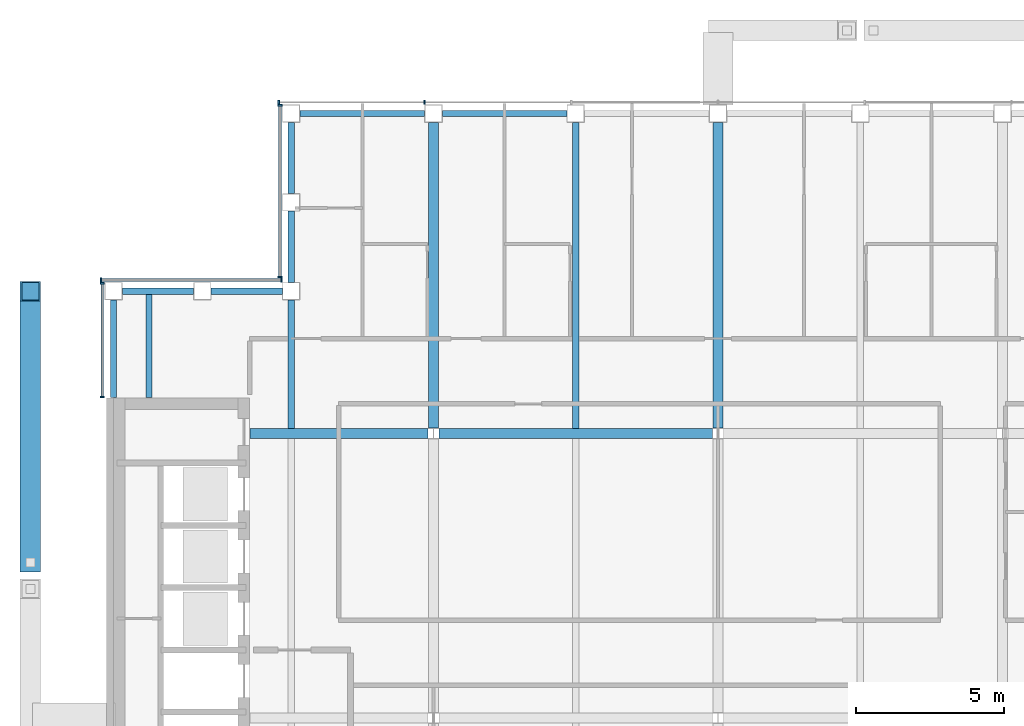
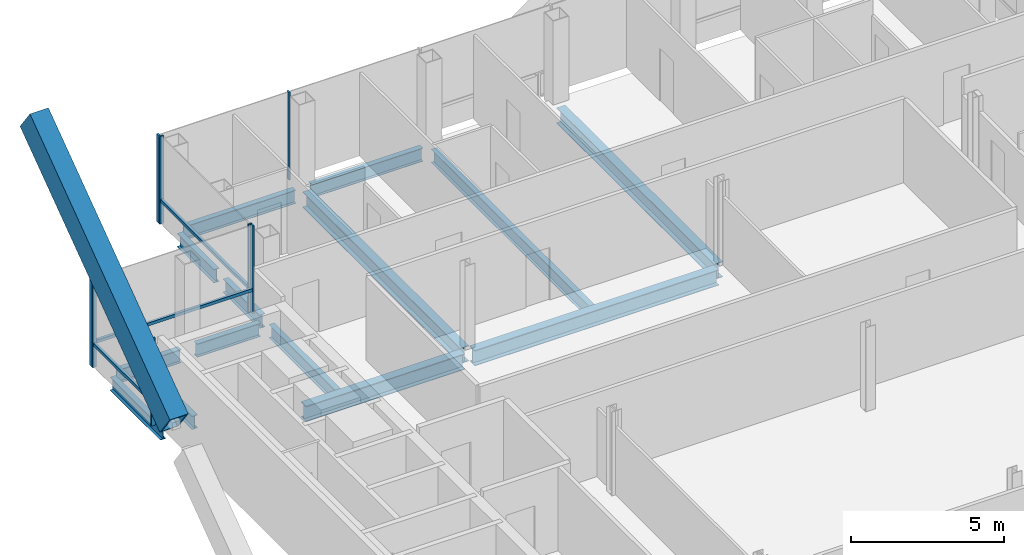
# One storey, part 7 of 15: 14 beams, 12 members, 4 elements without a shape of their own.
"""IFC4 building model written with IfcOpenShell, lengths in metres."""

from ifc_helpers import new_model, si_unit, direction, frame, origin, origin_2d, place, context, subcontext, project, spatial, rectangle, hollow_rectangle, i_section, extrude, material, material_profile, profile_set, type_object, element, aggregate, save


model = new_model("IFC4")

# Units and contexts
model_context = context("Model", 3, precision=1e-05, world=origin(), true_north=direction((0.0, 1.0)))
body_context = subcontext(model_context, "Body", "Model", "MODEL_VIEW")
ifc_project = project(units=[si_unit("LENGTHUNIT", "METRE"), si_unit("AREAUNIT", "SQUARE_METRE"), si_unit("VOLUMEUNIT", "CUBIC_METRE"), si_unit("PLANEANGLEUNIT", "RADIAN"), si_unit("MASSUNIT", "GRAM", prefix="KILO")], contexts=[model_context])

# Site, building, storey
site_placement = place(None, origin())
site = spatial("IfcSite", under=ifc_project, at=site_placement, CompositionType="ELEMENT")
building_placement = place(site_placement, origin())
building = spatial("IfcBuilding", under=site, at=building_placement, Name="Cobrizo Arcos Hotel Tower", CompositionType="ELEMENT")
storey_placement = place(building_placement, frame((0.0, 0.0, 244.5)))
storey = spatial("IfcBuildingStorey", under=building, at=storey_placement, Name="L64", CompositionType="ELEMENT", Elevation=244.5)

# Member
ifc_material_1 = material(Name="Steel ASTM A572 Grade 50", Category="steel")
ifc_material_profile_1 = material_profile(ifc_material_1, hollow_rectangle(XDim=0.699951171875, YDim=1.10009765625, WallThickness=0.06005859375, at=origin_2d()), Name="BOX 700X1100X60")
ifc_profile_set_1 = profile_set([ifc_material_profile_1], Name="Steel ASTM A572 Grade 50")
member_type_1 = type_object("IfcMemberType", Name="BOX 700X1100X60 perimeter brace", PredefinedType="BRACE", material=ifc_profile_set_1)
member_1_placement = place(storey_placement, frame((-23.199951171875, 5.242431640625, 4.32275390625), z_axis=(0.0, 0.808010734919, 0.589167762404), x_axis=(-1.0, 0.0, 0.0)))
element("IfcMember", 1, at=member_1_placement, inside=storey, type_object=member_type_1, Name="Perimeter brace PBR5, zone Z5, west face, no. 01b", PredefinedType="BRACE", context=body_context, shape_type="SweptSolid", body=[
    extrude(hollow_rectangle(XDim=0.699951171875, YDim=1.10009765625, WallThickness=0.06005859375, at=origin_2d()), origin(), (0.0, 0.0, 1.0), 11.333251953125),
])

# Curtain wall, members
ifc_material_2 = material(Name="Aluminium 6063-T6 anodised bronze", Category="aluminium")
curtain_wall_type = type_object("IfcCurtainWallType", Name="CW-A guest facade", PredefinedType="NOTDEFINED", material=ifc_material_2)
curtain_wall_1_placement = place(storey_placement, origin())
curtain_wall_1 = element("IfcCurtainWall", 2, at=curtain_wall_1_placement, inside=storey, type_object=curtain_wall_type, Name="CW-A L64 N face", PredefinedType="NOTDEFINED")
ifc_material_profile_2 = material_profile(ifc_material_2, rectangle(XDim=0.14990234375, YDim=0.06005859375, at=origin_2d()), Name="CW-A mullion 150x60")
ifc_profile_set_2 = profile_set([ifc_material_profile_2], Name="Aluminium 6063-T6 anodised bronze")
member_type_2 = type_object("IfcMemberType", Name="CW-A mullion 150x60", PredefinedType="MULLION", material=ifc_profile_set_2)
member_2_placement = place(storey_placement, frame((-9.89990234375, 20.77490234375, 0.0), z_axis=(0.0, 0.0, 1.0), x_axis=(0.0, 1.0, 0.0)))
member_2 = element("IfcMember", 3, at=member_2_placement, type_object=member_type_2, Name="CW-A mullion 6", PredefinedType="MULLION", context=body_context, shape_type="SweptSolid", body=[
    extrude(rectangle(XDim=0.14990234375, YDim=0.06005859375, at=origin_2d()), origin(), (0.0, 0.0, 1.0), 3.5),
])
member_3_placement = place(storey_placement, frame((-14.820068359375, 20.77490234375, 0.0), z_axis=(0.0, 0.0, 1.0), x_axis=(0.0, 1.0, 0.0)))
member_3 = element("IfcMember", 4, at=member_3_placement, type_object=member_type_2, Name="CW-A mullion 7", PredefinedType="MULLION", context=body_context, shape_type="SweptSolid", body=[
    extrude(rectangle(XDim=0.14990234375, YDim=0.06005859375, at=origin_2d()), origin(), (0.0, 0.0, 1.0), 3.5),
])
aggregate(curtain_wall_1, [member_2, member_3])

curtain_wall_2_placement = place(storey_placement, origin())
curtain_wall_2 = element("IfcCurtainWall", 5, at=curtain_wall_2_placement, inside=storey, type_object=curtain_wall_type, Name="CW-A L64 W face", PredefinedType="NOTDEFINED")
member_4_placement = place(storey_placement, frame((-14.77490234375, 20.669921875, 0.0), z_axis=(0.0, 0.0, 1.0), x_axis=(-1.0, 0.0, 0.0)))
member_4 = element("IfcMember", 6, at=member_4_placement, type_object=member_type_2, Name="CW-A mullion 1", PredefinedType="MULLION", context=body_context, shape_type="SweptSolid", body=[
    extrude(rectangle(XDim=0.14990234375, YDim=0.06005859375, at=origin_2d()), origin(), (0.0, 0.0, 1.0), 3.5),
])
member_5_placement = place(storey_placement, frame((-14.77490234375, 14.8798828125, 0.0), z_axis=(0.0, 0.0, 1.0), x_axis=(-1.0, 0.0, 0.0)))
member_5 = element("IfcMember", 7, at=member_5_placement, type_object=member_type_2, Name="CW-A mullion 2", PredefinedType="MULLION", context=body_context, shape_type="SweptSolid", body=[
    extrude(rectangle(XDim=0.14990234375, YDim=0.06005859375, at=origin_2d()), origin(), (0.0, 0.0, 1.0), 3.5),
])

curtain_wall_3_placement = place(storey_placement, origin())
curtain_wall_3 = element("IfcCurtainWall", 8, at=curtain_wall_3_placement, inside=storey, type_object=curtain_wall_type, Name="CW-A L64 N face", PredefinedType="NOTDEFINED")
member_6_placement = place(storey_placement, frame((-14.72998046875, 14.77490234375, 0.0), z_axis=(0.0, 0.0, 1.0), x_axis=(0.0, 1.0, 0.0)))
member_6 = element("IfcMember", 9, at=member_6_placement, type_object=member_type_2, Name="CW-A mullion 1", PredefinedType="MULLION", context=body_context, shape_type="SweptSolid", body=[
    extrude(rectangle(XDim=0.14990234375, YDim=0.06005859375, at=origin_2d()), origin(), (0.0, 0.0, 1.0), 3.5),
])
member_7_placement = place(storey_placement, frame((-20.820068359375, 14.77490234375, 0.0), z_axis=(0.0, 0.0, 1.0), x_axis=(0.0, 1.0, 0.0)))
member_7 = element("IfcMember", 10, at=member_7_placement, type_object=member_type_2, Name="CW-A mullion 2", PredefinedType="MULLION", context=body_context, shape_type="SweptSolid", body=[
    extrude(rectangle(XDim=0.14990234375, YDim=0.06005859375, at=origin_2d()), origin(), (0.0, 0.0, 1.0), 3.5),
])

curtain_wall_4_placement = place(storey_placement, origin())
curtain_wall_4 = element("IfcCurtainWall", 11, at=curtain_wall_4_placement, inside=storey, type_object=curtain_wall_type, Name="CW-A L64 W face", PredefinedType="NOTDEFINED")
member_8_placement = place(storey_placement, frame((-20.77490234375, 14.669921875, 0.0), z_axis=(0.0, 0.0, 1.0), x_axis=(-1.0, 0.0, 0.0)))
member_8 = element("IfcMember", 12, at=member_8_placement, type_object=member_type_2, Name="CW-A mullion 1", PredefinedType="MULLION", context=body_context, shape_type="SweptSolid", body=[
    extrude(rectangle(XDim=0.14990234375, YDim=0.06005859375, at=origin_2d()), origin(), (0.0, 0.0, 1.0), 3.5),
])
member_9_placement = place(storey_placement, frame((-20.77490234375, 10.830078125, 0.0), z_axis=(0.0, 0.0, 1.0), x_axis=(-1.0, 0.0, 0.0)))
member_9 = element("IfcMember", 13, at=member_9_placement, type_object=member_type_2, Name="CW-A mullion 2", PredefinedType="MULLION", context=body_context, shape_type="SweptSolid", body=[
    extrude(rectangle(XDim=0.14990234375, YDim=0.06005859375, at=origin_2d()), origin(), (0.0, 0.0, 1.0), 3.5),
])

# Member
ifc_material_profile_3 = material_profile(ifc_material_2, rectangle(XDim=0.10009765625, YDim=0.1201171875, at=origin_2d()), Name="CW-A transom 120x100")
ifc_profile_set_3 = profile_set([ifc_material_profile_3], Name="Aluminium 6063-T6 anodised bronze")
member_type_3 = type_object("IfcMemberType", Name="CW-A transom 120x100", PredefinedType="USERDEFINED", material=ifc_profile_set_3)
member_10_placement = place(storey_placement, frame((-14.77490234375, 20.639892578125, 0.929931640625), z_axis=(0.0, -1.0, 0.0), x_axis=(1.0, 0.0, 0.0)))
member_10 = element("IfcMember", 14, at=member_10_placement, type_object=member_type_3, Name="CW-A transom 2054", ObjectType="TRANSOM", PredefinedType="USERDEFINED", context=body_context, shape_type="SweptSolid", body=[
    extrude(rectangle(XDim=0.10009765625, YDim=0.1201171875, at=origin_2d()), origin(), (0.0, 0.0, 1.0), 5.72998046875),
])

aggregate(curtain_wall_2, [member_4, member_5, member_10])

member_11_placement = place(storey_placement, frame((-14.760009765625, 14.77490234375, 0.929931640625), z_axis=(-1.0, 0.0, 0.0), x_axis=(0.0, -1.0, 0.0)))
member_11 = element("IfcMember", 15, at=member_11_placement, type_object=member_type_3, Name="CW-A transom 2055", ObjectType="TRANSOM", PredefinedType="USERDEFINED", context=body_context, shape_type="SweptSolid", body=[
    extrude(rectangle(XDim=0.10009765625, YDim=0.1201171875, at=origin_2d()), origin(), (0.0, 0.0, 1.0), 6.030029296875),
])

aggregate(curtain_wall_3, [member_6, member_7, member_11])

member_12_placement = place(storey_placement, frame((-20.77490234375, 14.639892578125, 0.929931640625), z_axis=(0.0, -1.0, 0.0), x_axis=(1.0, 0.0, 0.0)))
member_12 = element("IfcMember", 16, at=member_12_placement, type_object=member_type_3, Name="CW-A transom 2056", ObjectType="TRANSOM", PredefinedType="USERDEFINED", context=body_context, shape_type="SweptSolid", body=[
    extrude(rectangle(XDim=0.10009765625, YDim=0.1201171875, at=origin_2d()), origin(), (0.0, 0.0, 1.0), 3.77978515625),
])

aggregate(curtain_wall_4, [member_8, member_9, member_12])

# Beams
ifc_material_3 = material(Name="Steel ASTM A992 Grade 50", Category="steel")
ifc_material_profile_4 = material_profile(ifc_material_3, i_section(OverallWidth=0.209228515625, OverallDepth=0.533447265625, WebThickness=0.01025390625, FlangeThickness=0.015625, at=origin_2d()), Name="W21X62")
ifc_profile_set_4 = profile_set([ifc_material_profile_4], Name="Steel ASTM A992 Grade 50")
beam_type_1 = type_object("IfcBeamType", Name="W21X62 joist", PredefinedType="JOIST", material=ifc_profile_set_4)
beam_1_placement = place(storey_placement, frame((-19.199951171875, 10.81005859375, -0.416748046875), z_axis=(0.0, 1.0, 0.0), x_axis=(-1.0, 0.0, 0.0)))
element("IfcBeam", 17, at=beam_1_placement, inside=storey, type_object=beam_type_1, Name="Floor joist J1, L64, no. 002", PredefinedType="JOIST", context=body_context, shape_type="SweptSolid", body=[
    extrude(i_section(OverallWidth=0.209228515625, OverallDepth=0.533447265625, WebThickness=0.01025390625, FlangeThickness=0.015625, at=origin_2d()), origin(), (0.0, 0.0, 1.0), 3.5),
])
beam_2_placement = place(storey_placement, frame((-14.39990234375, 9.763916015625, -0.416748046875), z_axis=(0.0, 1.0, 0.0), x_axis=(-1.0, 0.0, 0.0)))
element("IfcBeam", 18, at=beam_2_placement, inside=storey, type_object=beam_type_1, Name="Floor joist J1, L64, no. 006", PredefinedType="JOIST", context=body_context, shape_type="SweptSolid", body=[
    extrude(i_section(OverallWidth=0.209228515625, OverallDepth=0.533447265625, WebThickness=0.01025390625, FlangeThickness=0.015625, at=origin_2d()), origin(), (0.0, 0.0, 1.0), 4.336181640625),
])
beam_3_placement = place(storey_placement, frame((-4.800048828125, 9.763916015625, -0.416748046875), z_axis=(0.0, 1.0, 0.0), x_axis=(-1.0, 0.0, 0.0)))
element("IfcBeam", 19, at=beam_3_placement, inside=storey, type_object=beam_type_1, Name="Floor joist J1, L64, no. 010", PredefinedType="JOIST", context=body_context, shape_type="SweptSolid", body=[
    extrude(i_section(OverallWidth=0.209228515625, OverallDepth=0.533447265625, WebThickness=0.01025390625, FlangeThickness=0.015625, at=origin_2d()), origin(), (0.0, 0.0, 1.0), 10.336181640625),
])
ifc_material_profile_5 = material_profile(ifc_material_3, i_section(OverallWidth=0.209228515625, OverallDepth=0.533447265625, WebThickness=0.01025390625, FlangeThickness=0.015625, at=origin_2d()), Name="W21X62")
ifc_profile_set_5 = profile_set([ifc_material_profile_5], Name="Steel ASTM A992 Grade 50")
beam_type_2 = type_object("IfcBeamType", Name="W21X62 spandrel", PredefinedType="SPANDREL", material=ifc_profile_set_5)
beam_4_placement = place(storey_placement, frame((-5.10009765625, 20.39990234375, -0.416748046875), z_axis=(-1.0, 0.0, 0.0), x_axis=(0.0, -1.0, 0.0)))
element("IfcBeam", 20, at=beam_4_placement, inside=storey, type_object=beam_type_2, Name="Spandrel beam W21X62, L64, no. 021", PredefinedType="SPANDREL", context=body_context, shape_type="SweptSolid", body=[
    extrude(i_section(OverallWidth=0.209228515625, OverallDepth=0.533447265625, WebThickness=0.01025390625, FlangeThickness=0.015625, at=origin_2d()), origin(), (0.0, 0.0, 1.0), 4.199951171875),
])
beam_5_placement = place(storey_placement, frame((-9.89990234375, 20.39990234375, -0.416748046875), z_axis=(-1.0, 0.0, 0.0), x_axis=(0.0, -1.0, 0.0)))
element("IfcBeam", 21, at=beam_5_placement, inside=storey, type_object=beam_type_2, Name="Spandrel beam W21X62, L64, no. 022", PredefinedType="SPANDREL", context=body_context, shape_type="SweptSolid", body=[
    extrude(i_section(OverallWidth=0.209228515625, OverallDepth=0.533447265625, WebThickness=0.01025390625, FlangeThickness=0.015625, at=origin_2d()), origin(), (0.0, 0.0, 1.0), 4.2001953125),
])
for number, where, z_axis, x_axis, name in (
    (22, (-14.39990234375, 20.10009765625, -0.416748046875), (0.0, -1.0, 0.0), (1.0, 0.0, 0.0), "Spandrel beam W21X62, L64, no. 023"),
    (23, (-14.39990234375, 17.10009765625, -0.416748046875), (0.0, -1.0, 0.0), (1.0, 0.0, 0.0), "Spandrel beam W21X62, L64, no. 024"),
    (24, (-14.699951171875, 14.39990234375, -0.416748046875), (-1.0, 0.0, 0.0), (0.0, -1.0, 0.0), "Spandrel beam W21X62, L64, no. 025"),
    (25, (-17.699951171875, 14.39990234375, -0.416748046875), (-1.0, 0.0, 0.0), (0.0, -1.0, 0.0), "Spandrel beam W21X62, L64, no. 026"),
):
    element("IfcBeam", number, at=place(storey_placement, frame(where, z_axis=z_axis, x_axis=x_axis)), inside=storey, type_object=beam_type_2, Name=name, PredefinedType="SPANDREL", context=body_context, shape_type="SweptSolid", body=[
        extrude(i_section(OverallWidth=0.209228515625, OverallDepth=0.533447265625, WebThickness=0.01025390625, FlangeThickness=0.015625, at=origin_2d()), origin(), (0.0, 0.0, 1.0), 2.400146484375),
    ])
beam_6_placement = place(storey_placement, frame((-20.39990234375, 14.10009765625, -0.416748046875), z_axis=(0.0, -1.0, 0.0), x_axis=(1.0, 0.0, 0.0)))
element("IfcBeam", 26, at=beam_6_placement, inside=storey, type_object=beam_type_2, Name="Spandrel beam W21X62, L64, no. 027", PredefinedType="SPANDREL", context=body_context, shape_type="SweptSolid", body=[
    extrude(i_section(OverallWidth=0.209228515625, OverallDepth=0.533447265625, WebThickness=0.01025390625, FlangeThickness=0.015625, at=origin_2d()), origin(), (0.0, 0.0, 1.0), 3.2900390625),
])
ifc_material_profile_6 = material_profile(ifc_material_3, i_section(OverallWidth=0.32763671875, OverallDepth=0.622314453125, WebThickness=0.015380859375, FlangeThickness=0.0244140625, at=origin_2d()), Name="W24X131")
ifc_profile_set_6 = profile_set([ifc_material_profile_6], Name="Steel ASTM A992 Grade 50")
beam_type_3 = type_object("IfcBeamType", Name="W24X131 girder", PredefinedType="BEAM", material=ifc_profile_set_6)
beam_7_placement = place(storey_placement, frame((-15.7900390625, 9.60009765625, -0.461181640625), z_axis=(1.0, 0.0, 0.0), x_axis=(0.0, 1.0, 0.0)))
element("IfcBeam", 27, at=beam_7_placement, inside=storey, type_object=beam_type_3, Name="Floor girder G1, L64, no. 009", PredefinedType="BEAM", context=body_context, shape_type="SweptSolid", body=[
    extrude(i_section(OverallWidth=0.32763671875, OverallDepth=0.622314453125, WebThickness=0.015380859375, FlangeThickness=0.0244140625, at=origin_2d()), origin(), (0.0, 0.0, 1.0), 6.005859375),
])
beam_8_placement = place(storey_placement, frame((-9.415771484375, 9.60009765625, -0.461181640625), z_axis=(1.0, 0.0, 0.0), x_axis=(0.0, 1.0, 0.0)))
element("IfcBeam", 28, at=beam_8_placement, inside=storey, type_object=beam_type_3, Name="Floor girder G1, L64, no. 010", PredefinedType="BEAM", context=body_context, shape_type="SweptSolid", body=[
    extrude(i_section(OverallWidth=0.32763671875, OverallDepth=0.622314453125, WebThickness=0.015380859375, FlangeThickness=0.0244140625, at=origin_2d()), origin(), (0.0, 0.0, 1.0), 9.231689453125),
])
for number, where, z_axis, x_axis, name in (
    (29, (-9.60009765625, 9.7841796875, -0.461181640625), (0.0, 1.0, 0.0), (-1.0, 0.0, 0.0), "Floor girder G1, L64, no. 016"),
    (30, (0.0, 9.7841796875, -0.461181640625), (0.0, 1.0, 0.0), (-1.0, 0.0, 0.0), "Floor girder G1, L64, no. 020"),
):
    element("IfcBeam", number, at=place(storey_placement, frame(where, z_axis=z_axis, x_axis=x_axis)), inside=storey, type_object=beam_type_3, Name=name, PredefinedType="BEAM", context=body_context, shape_type="SweptSolid", body=[
        extrude(i_section(OverallWidth=0.32763671875, OverallDepth=0.622314453125, WebThickness=0.015380859375, FlangeThickness=0.0244140625, at=origin_2d()), origin(), (0.0, 0.0, 1.0), 10.31591796875),
    ])

save(model, "model.ifc")
